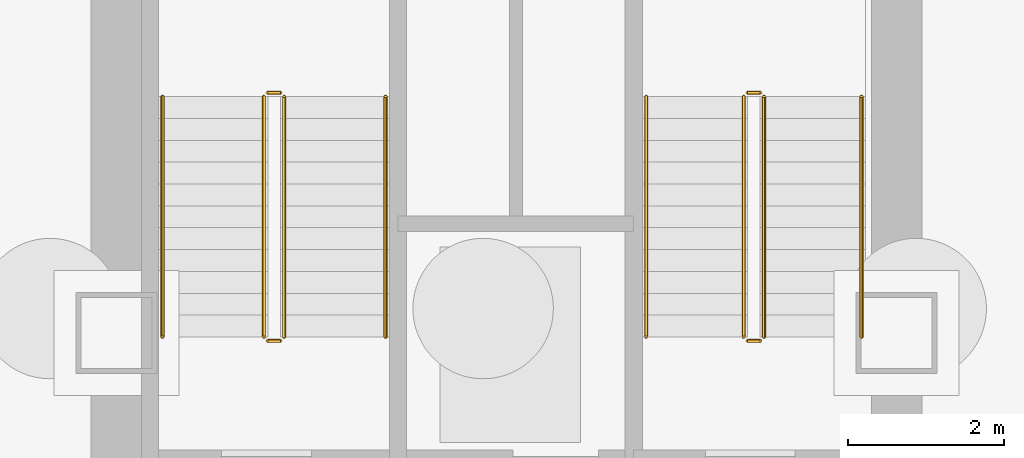
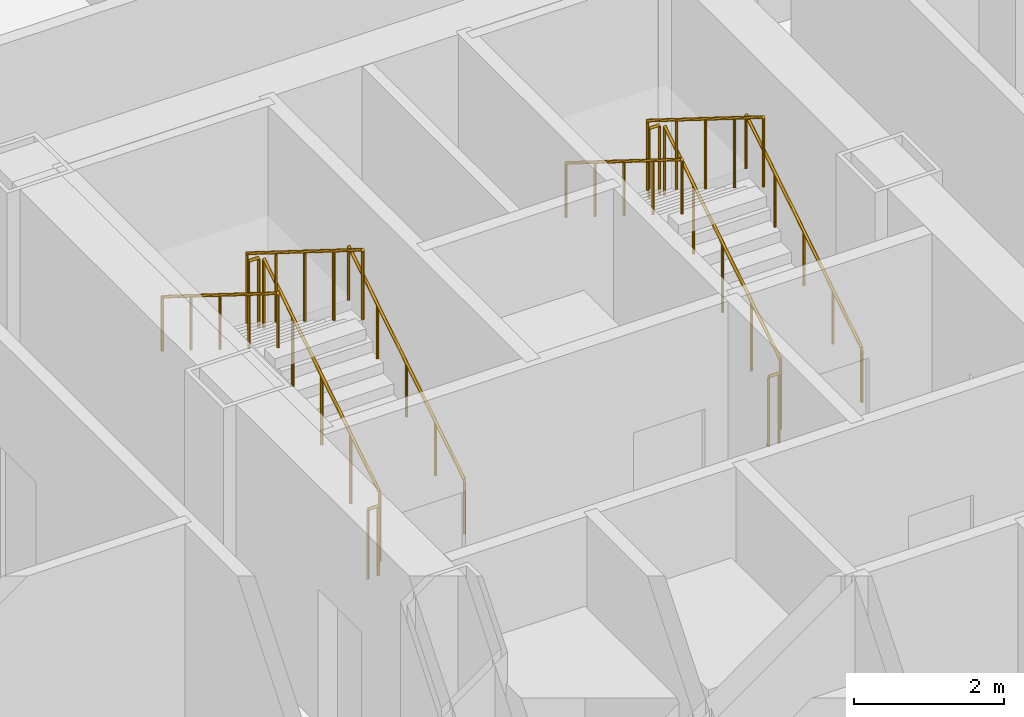
# One storey, part 12 of 16: 12 railings.
"""IFC4 building model written with IfcOpenShell, lengths in metres."""

from ifc_helpers import new_model, si_unit, direction, frame, origin, origin_2d, place, context, subcontext, project, spatial, circle, extrude, material, type_object, element, save


model = new_model("IFC4")

# Units and contexts
model_context = context("Model", 3, precision=1e-05, world=origin(), true_north=direction((0.0, 1.0)))
body_context = subcontext(model_context, "Body", "Model", "MODEL_VIEW")
ifc_project = project(units=[si_unit("LENGTHUNIT", "METRE"), si_unit("AREAUNIT", "SQUARE_METRE"), si_unit("VOLUMEUNIT", "CUBIC_METRE"), si_unit("PLANEANGLEUNIT", "RADIAN"), si_unit("MASSUNIT", "GRAM", prefix="KILO")], contexts=[model_context])

# Site, building, storey
site_placement = place(None, origin())
site = spatial("IfcSite", under=ifc_project, at=site_placement, CompositionType="ELEMENT")
building_placement = place(site_placement, origin())
building = spatial("IfcBuilding", under=site, at=building_placement, Name="Kolveth Station Tower", CompositionType="ELEMENT")
storey_placement = place(building_placement, frame((0.0, 0.0, -8.39990234375)))
storey = spatial("IfcBuildingStorey", under=building, at=storey_placement, Name="B2", CompositionType="ELEMENT", Elevation=-8.39990234375)

# Railings
ifc_material_1 = material(Name="Painted Steel S355 balustrade", Category="steel")
railing_type_1 = type_object("IfcRailingType", Name="Guard_GR2", PredefinedType="BALUSTRADE", material=ifc_material_1)
railing_1_placement = place(storey_placement, frame((20.64990234375, 22.949951171875, 0.1748046875)))
element("IfcRailing", 1, at=railing_1_placement, inside=storey, type_object=railing_type_1, Name="B2 ST1 stair guard 1", PredefinedType="BALUSTRADE", context=body_context, shape_type="SweptSolid", body=[
    extrude(circle(Radius=0.02392578125, at=origin_2d()), frame((0.0, 0.0, 1.1259765625), z_axis=(0.0, 0.847998304005, 0.529998940003), x_axis=(-1.0, 0.0, 0.0)), (0.0, 0.0, 1.0), 3.632080078125),
    extrude(circle(Radius=0.02099609375, at=origin_2d()), origin(), (0.0, 0.0, 1.0), 1.101806640625),
    extrude(circle(Radius=0.02099609375, at=origin_2d()), frame((0.0, 0.77001953125, 0.481201171875)), (0.0, 0.0, 1.0), 1.101806640625),
    extrude(circle(Radius=0.02099609375, at=origin_2d()), frame((0.0, 1.5400390625, 0.96240234375)), (0.0, 0.0, 1.0), 1.101806640625),
    extrude(circle(Radius=0.02099609375, at=origin_2d()), frame((0.0, 2.31005859375, 1.44384765625)), (0.0, 0.0, 1.0), 1.101806640625),
    extrude(circle(Radius=0.02099609375, at=origin_2d()), frame((0.0, 3.080078125, 1.925048828125)), (0.0, 0.0, 1.0), 1.101806640625),
])
railing_2_placement = place(storey_placement, frame((20.60009765625, 26.080078125, 2.099853515625)))
element("IfcRailing", 2, at=railing_2_placement, inside=storey, type_object=railing_type_1, Name="B2 ST1 stair guard 2", PredefinedType="BALUSTRADE", context=body_context, shape_type="SweptSolid", body=[
    extrude(circle(Radius=0.02392578125, at=origin_2d()), frame((0.0, 0.0, 1.1259765625), z_axis=(-1.0, 0.0, 0.0), x_axis=(0.0, -1.0, 0.0)), (0.0, 0.0, 1.0), 0.16015625),
    extrude(circle(Radius=0.02099609375, at=origin_2d()), origin(), (0.0, 0.0, 1.0), 1.101806640625),
    extrude(circle(Radius=0.02099609375, at=origin_2d()), frame((-0.16015625, 0.0, 0.0)), (0.0, 0.0, 1.0), 1.101806640625),
])
railing_3_placement = place(storey_placement, frame((20.389892578125, 26.030029296875, 2.27490234375)))
element("IfcRailing", 3, at=railing_3_placement, inside=storey, type_object=railing_type_1, Name="B2 ST1 stair guard 3", PredefinedType="BALUSTRADE", context=body_context, shape_type="SweptSolid", body=[
    extrude(circle(Radius=0.02392578125, at=origin_2d()), frame((0.0, 0.0, 1.1259765625), z_axis=(0.0, -0.847998304005, 0.529998940003), x_axis=(1.0, 0.0, 0.0)), (0.0, 0.0, 1.0), 3.632080078125),
    extrude(circle(Radius=0.02099609375, at=origin_2d()), origin(), (0.0, 0.0, 1.0), 1.101806640625),
    extrude(circle(Radius=0.02099609375, at=origin_2d()), frame((0.0, -0.77001953125, 0.481201171875)), (0.0, 0.0, 1.0), 1.101806640625),
    extrude(circle(Radius=0.02099609375, at=origin_2d()), frame((0.0, -1.5400390625, 0.96240234375)), (0.0, 0.0, 1.0), 1.101806640625),
    extrude(circle(Radius=0.02099609375, at=origin_2d()), frame((0.0, -2.31005859375, 1.44384765625)), (0.0, 0.0, 1.0), 1.101806640625),
    extrude(circle(Radius=0.02099609375, at=origin_2d()), frame((0.0, -3.080078125, 1.925048828125)), (0.0, 0.0, 1.0), 1.101806640625),
])
railing_4_placement = place(storey_placement, frame((20.60009765625, 22.89990234375, 0.0)))
element("IfcRailing", 4, at=railing_4_placement, inside=storey, type_object=railing_type_1, Name="B2 ST1 stair guard 4", PredefinedType="BALUSTRADE", context=body_context, shape_type="SweptSolid", body=[
    extrude(circle(Radius=0.02392578125, at=origin_2d()), frame((0.0, 0.0, 1.1259765625), z_axis=(-1.0, 0.0, 0.0), x_axis=(0.0, -1.0, 0.0)), (0.0, 0.0, 1.0), 0.16015625),
    extrude(circle(Radius=0.02099609375, at=origin_2d()), origin(), (0.0, 0.0, 1.0), 1.101806640625),
    extrude(circle(Radius=0.02099609375, at=origin_2d()), frame((-0.16015625, 0.0, 0.0)), (0.0, 0.0, 1.0), 1.101806640625),
])
railing_5_placement = place(storey_placement, frame((26.800048828125, 22.949951171875, 0.1748046875)))
element("IfcRailing", 5, at=railing_5_placement, inside=storey, type_object=railing_type_1, Name="B2 ST2 stair guard 1", PredefinedType="BALUSTRADE", context=body_context, shape_type="SweptSolid", body=[
    extrude(circle(Radius=0.02392578125, at=origin_2d()), frame((0.0, 0.0, 1.1259765625), z_axis=(0.0, 0.847998304005, 0.529998940003), x_axis=(-1.0, 0.0, 0.0)), (0.0, 0.0, 1.0), 3.632080078125),
    extrude(circle(Radius=0.02099609375, at=origin_2d()), origin(), (0.0, 0.0, 1.0), 1.101806640625),
    extrude(circle(Radius=0.02099609375, at=origin_2d()), frame((0.0, 0.77001953125, 0.481201171875)), (0.0, 0.0, 1.0), 1.101806640625),
    extrude(circle(Radius=0.02099609375, at=origin_2d()), frame((0.0, 1.5400390625, 0.96240234375)), (0.0, 0.0, 1.0), 1.101806640625),
    extrude(circle(Radius=0.02099609375, at=origin_2d()), frame((0.0, 2.31005859375, 1.44384765625)), (0.0, 0.0, 1.0), 1.101806640625),
    extrude(circle(Radius=0.02099609375, at=origin_2d()), frame((0.0, 3.080078125, 1.925048828125)), (0.0, 0.0, 1.0), 1.101806640625),
])
railing_6_placement = place(storey_placement, frame((26.75, 26.080078125, 2.099853515625)))
element("IfcRailing", 6, at=railing_6_placement, inside=storey, type_object=railing_type_1, Name="B2 ST2 stair guard 2", PredefinedType="BALUSTRADE", context=body_context, shape_type="SweptSolid", body=[
    extrude(circle(Radius=0.02392578125, at=origin_2d()), frame((0.0, 0.0, 1.1259765625), z_axis=(-1.0, 0.0, 0.0), x_axis=(0.0, -1.0, 0.0)), (0.0, 0.0, 1.0), 0.159912109375),
    extrude(circle(Radius=0.02099609375, at=origin_2d()), origin(), (0.0, 0.0, 1.0), 1.101806640625),
    extrude(circle(Radius=0.02099609375, at=origin_2d()), frame((-0.159912109375, 0.0, 0.0)), (0.0, 0.0, 1.0), 1.101806640625),
])
railing_7_placement = place(storey_placement, frame((26.5400390625, 26.030029296875, 2.27490234375)))
element("IfcRailing", 7, at=railing_7_placement, inside=storey, type_object=railing_type_1, Name="B2 ST2 stair guard 3", PredefinedType="BALUSTRADE", context=body_context, shape_type="SweptSolid", body=[
    extrude(circle(Radius=0.02392578125, at=origin_2d()), frame((0.0, 0.0, 1.1259765625), z_axis=(0.0, -0.847998304005, 0.529998940003), x_axis=(1.0, 0.0, 0.0)), (0.0, 0.0, 1.0), 3.632080078125),
    extrude(circle(Radius=0.02099609375, at=origin_2d()), origin(), (0.0, 0.0, 1.0), 1.101806640625),
    extrude(circle(Radius=0.02099609375, at=origin_2d()), frame((0.0, -0.77001953125, 0.481201171875)), (0.0, 0.0, 1.0), 1.101806640625),
    extrude(circle(Radius=0.02099609375, at=origin_2d()), frame((0.0, -1.5400390625, 0.96240234375)), (0.0, 0.0, 1.0), 1.101806640625),
    extrude(circle(Radius=0.02099609375, at=origin_2d()), frame((0.0, -2.31005859375, 1.44384765625)), (0.0, 0.0, 1.0), 1.101806640625),
    extrude(circle(Radius=0.02099609375, at=origin_2d()), frame((0.0, -3.080078125, 1.925048828125)), (0.0, 0.0, 1.0), 1.101806640625),
])
railing_8_placement = place(storey_placement, frame((26.75, 22.89990234375, 0.0)))
element("IfcRailing", 8, at=railing_8_placement, inside=storey, type_object=railing_type_1, Name="B2 ST2 stair guard 4", PredefinedType="BALUSTRADE", context=body_context, shape_type="SweptSolid", body=[
    extrude(circle(Radius=0.02392578125, at=origin_2d()), frame((0.0, 0.0, 1.1259765625), z_axis=(-1.0, 0.0, 0.0), x_axis=(0.0, -1.0, 0.0)), (0.0, 0.0, 1.0), 0.159912109375),
    extrude(circle(Radius=0.02099609375, at=origin_2d()), origin(), (0.0, 0.0, 1.0), 1.101806640625),
    extrude(circle(Radius=0.02099609375, at=origin_2d()), frame((-0.159912109375, 0.0, 0.0)), (0.0, 0.0, 1.0), 1.101806640625),
])
ifc_material_2 = material(Name="Brushed stainless steel", Category="steel")
railing_type_2 = type_object("IfcRailingType", Name="Handrail_HR1", PredefinedType="HANDRAIL", material=ifc_material_2)
railing_9_placement = place(storey_placement, frame((21.949951171875, 22.949951171875, 0.1748046875)))
element("IfcRailing", 9, at=railing_9_placement, inside=storey, type_object=railing_type_2, Name="B2 ST1 stair handrail 1", PredefinedType="HANDRAIL", context=body_context, shape_type="SweptSolid", body=[
    extrude(circle(Radius=0.02392578125, at=origin_2d()), frame((0.0, 0.0, 0.8759765625), z_axis=(0.0, 0.847998304005, 0.529998940003), x_axis=(-1.0, 0.0, 0.0)), (0.0, 0.0, 1.0), 3.632080078125),
    extrude(circle(Radius=0.02099609375, at=origin_2d()), origin(), (0.0, 0.0, 1.0), 0.851806640625),
    extrude(circle(Radius=0.02099609375, at=origin_2d()), frame((0.0, 0.77001953125, 0.481201171875)), (0.0, 0.0, 1.0), 0.851806640625),
    extrude(circle(Radius=0.02099609375, at=origin_2d()), frame((0.0, 1.5400390625, 0.96240234375)), (0.0, 0.0, 1.0), 0.851806640625),
    extrude(circle(Radius=0.02099609375, at=origin_2d()), frame((0.0, 2.31005859375, 1.44384765625)), (0.0, 0.0, 1.0), 0.851806640625),
    extrude(circle(Radius=0.02099609375, at=origin_2d()), frame((0.0, 3.080078125, 1.925048828125)), (0.0, 0.0, 1.0), 0.851806640625),
])
railing_10_placement = place(storey_placement, frame((19.090087890625, 26.030029296875, 2.27490234375)))
element("IfcRailing", 10, at=railing_10_placement, inside=storey, type_object=railing_type_2, Name="B2 ST1 stair handrail 2", PredefinedType="HANDRAIL", context=body_context, shape_type="SweptSolid", body=[
    extrude(circle(Radius=0.02392578125, at=origin_2d()), frame((0.0, 0.0, 0.8759765625), z_axis=(0.0, -0.847998304005, 0.529998940003), x_axis=(1.0, 0.0, 0.0)), (0.0, 0.0, 1.0), 3.632080078125),
    extrude(circle(Radius=0.02099609375, at=origin_2d()), origin(), (0.0, 0.0, 1.0), 0.851806640625),
    extrude(circle(Radius=0.02099609375, at=origin_2d()), frame((0.0, -0.77001953125, 0.481201171875)), (0.0, 0.0, 1.0), 0.851806640625),
    extrude(circle(Radius=0.02099609375, at=origin_2d()), frame((0.0, -1.5400390625, 0.96240234375)), (0.0, 0.0, 1.0), 0.851806640625),
    extrude(circle(Radius=0.02099609375, at=origin_2d()), frame((0.0, -2.31005859375, 1.44384765625)), (0.0, 0.0, 1.0), 0.851806640625),
    extrude(circle(Radius=0.02099609375, at=origin_2d()), frame((0.0, -3.080078125, 1.925048828125)), (0.0, 0.0, 1.0), 0.851806640625),
])
railing_11_placement = place(storey_placement, frame((28.050048828125, 22.949951171875, 0.1748046875)))
element("IfcRailing", 11, at=railing_11_placement, inside=storey, type_object=railing_type_2, Name="B2 ST2 stair handrail 1", PredefinedType="HANDRAIL", context=body_context, shape_type="SweptSolid", body=[
    extrude(circle(Radius=0.02392578125, at=origin_2d()), frame((0.0, 0.0, 0.8759765625), z_axis=(0.0, 0.847998304005, 0.529998940003), x_axis=(-1.0, 0.0, 0.0)), (0.0, 0.0, 1.0), 3.632080078125),
    extrude(circle(Radius=0.02099609375, at=origin_2d()), origin(), (0.0, 0.0, 1.0), 0.851806640625),
    extrude(circle(Radius=0.02099609375, at=origin_2d()), frame((0.0, 0.77001953125, 0.481201171875)), (0.0, 0.0, 1.0), 0.851806640625),
    extrude(circle(Radius=0.02099609375, at=origin_2d()), frame((0.0, 1.5400390625, 0.96240234375)), (0.0, 0.0, 1.0), 0.851806640625),
    extrude(circle(Radius=0.02099609375, at=origin_2d()), frame((0.0, 2.31005859375, 1.44384765625)), (0.0, 0.0, 1.0), 0.851806640625),
    extrude(circle(Radius=0.02099609375, at=origin_2d()), frame((0.0, 3.080078125, 1.925048828125)), (0.0, 0.0, 1.0), 0.851806640625),
])
railing_12_placement = place(storey_placement, frame((25.2900390625, 26.030029296875, 2.27490234375)))
element("IfcRailing", 12, at=railing_12_placement, inside=storey, type_object=railing_type_2, Name="B2 ST2 stair handrail 2", PredefinedType="HANDRAIL", context=body_context, shape_type="SweptSolid", body=[
    extrude(circle(Radius=0.02392578125, at=origin_2d()), frame((0.0, 0.0, 0.8759765625), z_axis=(0.0, -0.847998304005, 0.529998940003), x_axis=(1.0, 0.0, 0.0)), (0.0, 0.0, 1.0), 3.632080078125),
    extrude(circle(Radius=0.02099609375, at=origin_2d()), origin(), (0.0, 0.0, 1.0), 0.851806640625),
    extrude(circle(Radius=0.02099609375, at=origin_2d()), frame((0.0, -0.77001953125, 0.481201171875)), (0.0, 0.0, 1.0), 0.851806640625),
    extrude(circle(Radius=0.02099609375, at=origin_2d()), frame((0.0, -1.5400390625, 0.96240234375)), (0.0, 0.0, 1.0), 0.851806640625),
    extrude(circle(Radius=0.02099609375, at=origin_2d()), frame((0.0, -2.31005859375, 1.44384765625)), (0.0, 0.0, 1.0), 0.851806640625),
    extrude(circle(Radius=0.02099609375, at=origin_2d()), frame((0.0, -3.080078125, 1.925048828125)), (0.0, 0.0, 1.0), 0.851806640625),
])

save(model, "model.ifc")
